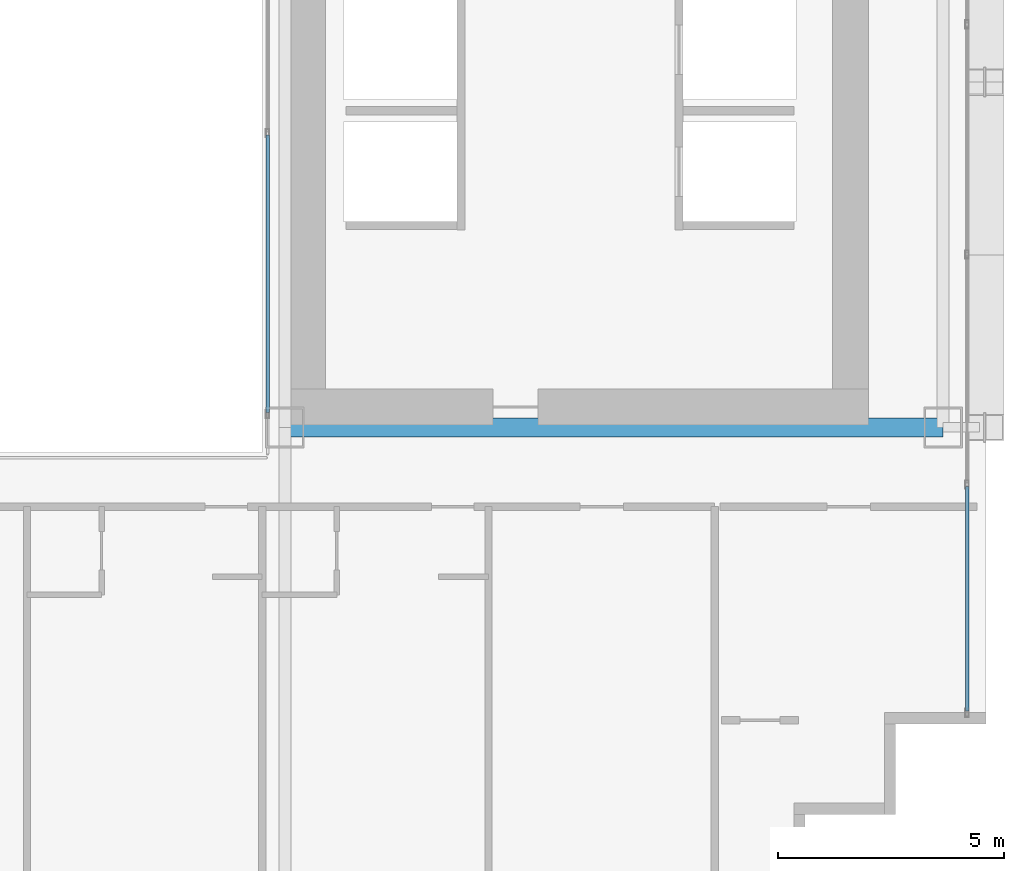
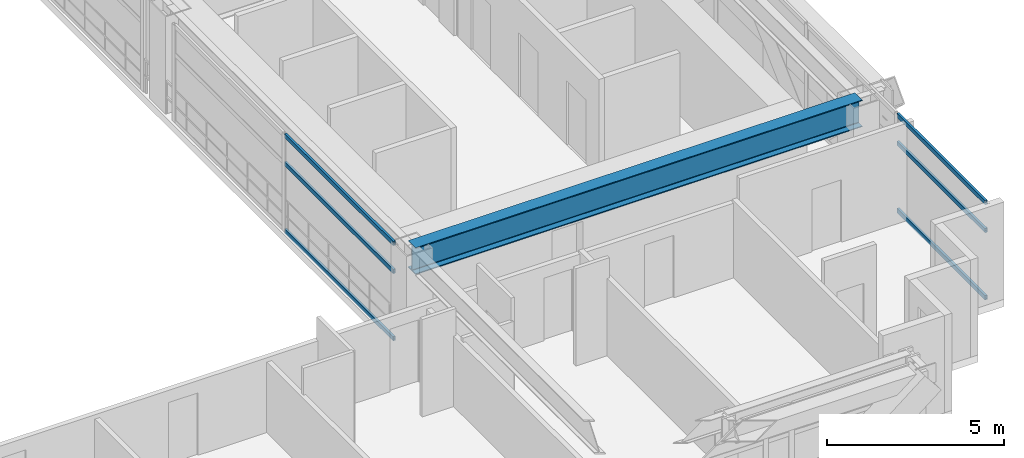
# One storey, part 13 of 41: 6 members, 1 beam, 2 elements without a shape of their own.
"""IFC4 building model written with IfcOpenShell, lengths in metres."""

from ifc_helpers import new_model, si_unit, direction, frame, origin, origin_2d, place, context, subcontext, project, spatial, hollow_rectangle, i_section, extrude, source, transform, mapped, material, layer, layer_set, material_profile, profile_set, type_object, element, aggregate, save


model = new_model("IFC4")

# Units and contexts
model_context = context("Model", 3, precision=1e-05, world=origin(), true_north=direction((0.0, 1.0)))
body_context = subcontext(model_context, "Body", "Model", "MODEL_VIEW")
ifc_project = project(units=[si_unit("LENGTHUNIT", "METRE"), si_unit("AREAUNIT", "SQUARE_METRE"), si_unit("VOLUMEUNIT", "CUBIC_METRE"), si_unit("PLANEANGLEUNIT", "RADIAN"), si_unit("MASSUNIT", "GRAM", prefix="KILO")], contexts=[model_context])

# Site, building, storey
site_placement = place(None, origin())
site = spatial("IfcSite", under=ifc_project, at=site_placement, CompositionType="ELEMENT")
building_placement = place(site_placement, origin())
building = spatial("IfcBuilding", under=site, at=building_placement, Name="Ocotamira Hotel", CompositionType="ELEMENT")
storey_placement = place(building_placement, frame((0.0, 0.0, 67.199951171875)))
storey = spatial("IfcBuildingStorey", under=building, at=storey_placement, Name="L16", CompositionType="ELEMENT", Elevation=67.199951171875)

# Beam
ifc_material_1 = material(Name="Steel ASTM A992 Grade 50", Category="steel")
ifc_material_profile_1 = material_profile(ifc_material_1, i_section(OverallWidth=0.41796875, OverallDepth=0.927001953125, WebThickness=0.019287109375, FlangeThickness=0.031982421875, FilletRadius=0.02392578125, at=origin_2d()), Name="W36X231")
ifc_profile_set_1 = profile_set([ifc_material_profile_1], Name="Steel ASTM A992 Grade 50")
beam_type = type_object("IfcBeamType", Name="BM-GIRD-W36X231", PredefinedType="BEAM", material=ifc_profile_set_1)
shared_shape_1 = source(origin(), body_context, "Body", "SweptSolid", [
    extrude(i_section(OverallWidth=0.41796875, OverallDepth=0.927001953125, WebThickness=0.019287109375, FlangeThickness=0.031982421875, FilletRadius=0.02392578125, at=origin_2d()), origin(), (0.0, 0.0, 1.0), 14.550048828125),
])
beam_placement = place(storey_placement, frame((40.5, 14.550048828125, 2.886474609375), z_axis=(1.0, 0.0, 0.0), x_axis=(0.0, 1.0, 0.0)))
element("IfcBeam", 1, at=beam_placement, inside=storey, type_object=beam_type, Name="L16 Girder Y14.55 X40.5-55.05", PredefinedType="BEAM", context=body_context, shape_type="MappedRepresentation", body=[
    mapped(shared_shape_1, transform((0.0, 0.0, 0.0), scale=1.0)),
])

# Curtain wall, members
ifc_material_2 = material(Name="Anodised pale-metal aluminium and solar glass", Category="aluminium")
ifc_layer_1 = layer(ifc_material_2, 0.179931640625)
ifc_layer_set_1 = layer_set([ifc_layer_1], Name="Anodised pale-metal aluminium and solar glass")
curtain_wall_type_1 = type_object("IfcCurtainWallType", Name="CW-SYS2-Z1", PredefinedType="NOTDEFINED", material=ifc_layer_set_1)
curtain_wall_1_placement = place(storey_placement, origin())
curtain_wall_1 = element("IfcCurtainWall", 2, at=curtain_wall_1_placement, inside=storey, type_object=curtain_wall_type_1, Name="L16 Curtain Wall CW-2 CW-L16-E", PredefinedType="NOTDEFINED")
ifc_material_3 = material(Name="Anodised pale-metal aluminium 6063-T6", Category="aluminium")
ifc_material_profile_2 = material_profile(ifc_material_3, hollow_rectangle(XDim=0.074951171875, YDim=0.14990234375, WallThickness=0.006103515625, at=origin_2d()), Name="HSS150X75X6")
ifc_profile_set_2 = profile_set([ifc_material_profile_2], Name="Anodised pale-metal aluminium 6063-T6")
member_type = type_object("IfcMemberType", Name="CWT-150X75", PredefinedType="USERDEFINED", material=ifc_profile_set_2)
shared_shape_2 = source(origin(), body_context, "Body", "SweptSolid", [
    extrude(hollow_rectangle(XDim=0.074951171875, YDim=0.14990234375, WallThickness=0.006103515625, at=origin_2d()), origin(), (0.0, 0.0, 1.0), 4.965576171875),
])
member_1_placement = place(storey_placement, frame((55.580078125, 8.280029296875, 0.03759765625), z_axis=(0.0, 1.0, 0.0), x_axis=(-1.0, 0.0, 0.0)))
member_1 = element("IfcMember", 3, at=member_1_placement, type_object=member_type, Name="CW-2 transom 1.1", ObjectType="TRANSOM", PredefinedType="USERDEFINED", context=body_context, shape_type="MappedRepresentation", body=[
    mapped(shared_shape_2, transform((0.0, 0.0, 0.0), scale=1.0)),
])
member_2_placement = place(storey_placement, frame((55.580078125, 8.280029296875, 2.35009765625), z_axis=(0.0, 1.0, 0.0), x_axis=(-1.0, 0.0, 0.0)))
member_2 = element("IfcMember", 4, at=member_2_placement, type_object=member_type, Name="CW-2 transom 1.2", ObjectType="TRANSOM", PredefinedType="USERDEFINED", context=body_context, shape_type="MappedRepresentation", body=[
    mapped(shared_shape_2, transform((0.0, 0.0, 0.0), scale=1.0)),
])
member_3_placement = place(storey_placement, frame((55.580078125, 8.280029296875, 3.3125), z_axis=(0.0, 1.0, 0.0), x_axis=(-1.0, 0.0, 0.0)))
member_3 = element("IfcMember", 5, at=member_3_placement, type_object=member_type, Name="CW-2 transom 1.3", ObjectType="TRANSOM", PredefinedType="USERDEFINED", context=body_context, shape_type="MappedRepresentation", body=[
    mapped(shared_shape_2, transform((0.0, 0.0, 0.0), scale=1.0)),
])
aggregate(curtain_wall_1, [member_1, member_2, member_3])

ifc_layer_2 = layer(ifc_material_2, 0.159912109375)
ifc_layer_set_2 = layer_set([ifc_layer_2], Name="Anodised pale-metal aluminium and solar glass")
curtain_wall_type_2 = type_object("IfcCurtainWallType", Name="CW-SYS6-ATR", PredefinedType="NOTDEFINED", material=ifc_layer_set_2)
curtain_wall_2_placement = place(storey_placement, origin())
curtain_wall_2 = element("IfcCurtainWall", 6, at=curtain_wall_2_placement, inside=storey, type_object=curtain_wall_type_2, Name="L16 Curtain Wall CW-6 CW-L16-ATRE1", PredefinedType="NOTDEFINED")
shared_shape_3 = source(origin(), body_context, "Body", "SweptSolid", [
    extrude(hollow_rectangle(XDim=0.074951171875, YDim=0.14990234375, WallThickness=0.006103515625, at=origin_2d()), origin(), (0.0, 0.0, 1.0), 6.130126953125),
])
member_4_placement = place(storey_placement, frame((40.1201171875, 14.8798828125, 0.03759765625), z_axis=(0.0, 1.0, 0.0), x_axis=(-1.0, 0.0, 0.0)))
member_4 = element("IfcMember", 7, at=member_4_placement, type_object=member_type, Name="CW-6 transom 1.1", ObjectType="TRANSOM", PredefinedType="USERDEFINED", context=body_context, shape_type="MappedRepresentation", body=[
    mapped(shared_shape_3, transform((0.0, 0.0, 0.0), scale=1.0)),
])
member_5_placement = place(storey_placement, frame((40.1201171875, 14.8798828125, 2.35009765625), z_axis=(0.0, 1.0, 0.0), x_axis=(-1.0, 0.0, 0.0)))
member_5 = element("IfcMember", 8, at=member_5_placement, type_object=member_type, Name="CW-6 transom 1.2", ObjectType="TRANSOM", PredefinedType="USERDEFINED", context=body_context, shape_type="MappedRepresentation", body=[
    mapped(shared_shape_3, transform((0.0, 0.0, 0.0), scale=1.0)),
])
member_6_placement = place(storey_placement, frame((40.1201171875, 14.8798828125, 3.3125), z_axis=(0.0, 1.0, 0.0), x_axis=(-1.0, 0.0, 0.0)))
member_6 = element("IfcMember", 9, at=member_6_placement, type_object=member_type, Name="CW-6 transom 1.3", ObjectType="TRANSOM", PredefinedType="USERDEFINED", context=body_context, shape_type="MappedRepresentation", body=[
    mapped(shared_shape_3, transform((0.0, 0.0, 0.0), scale=1.0)),
])
aggregate(curtain_wall_2, [member_4, member_5, member_6])

save(model, "model.ifc")
